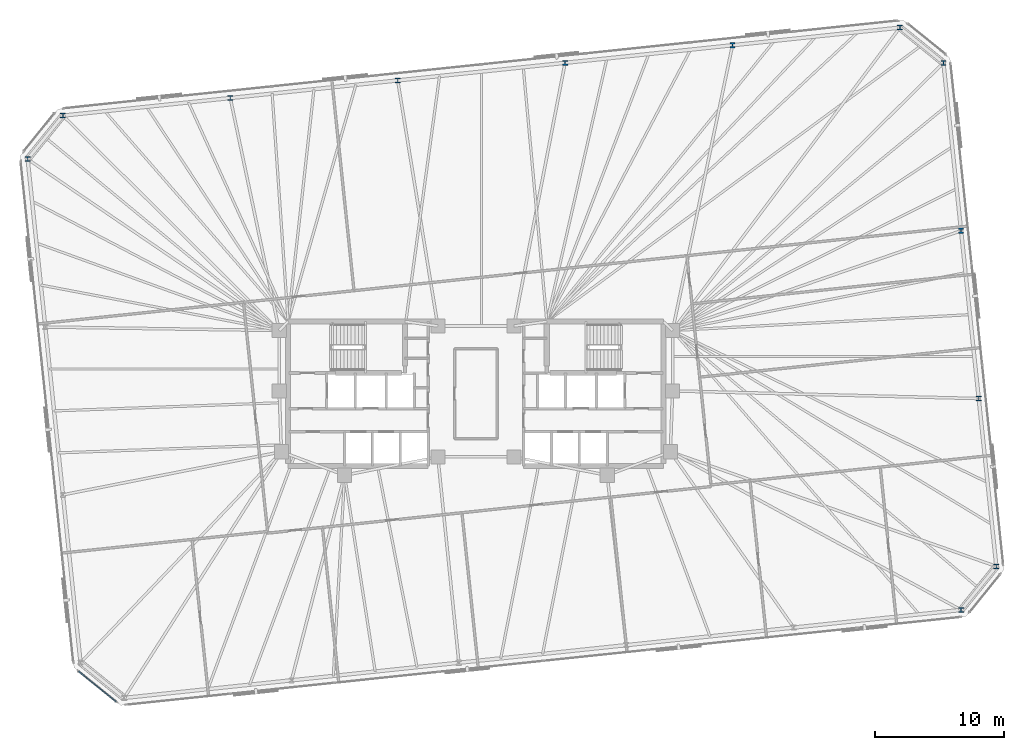
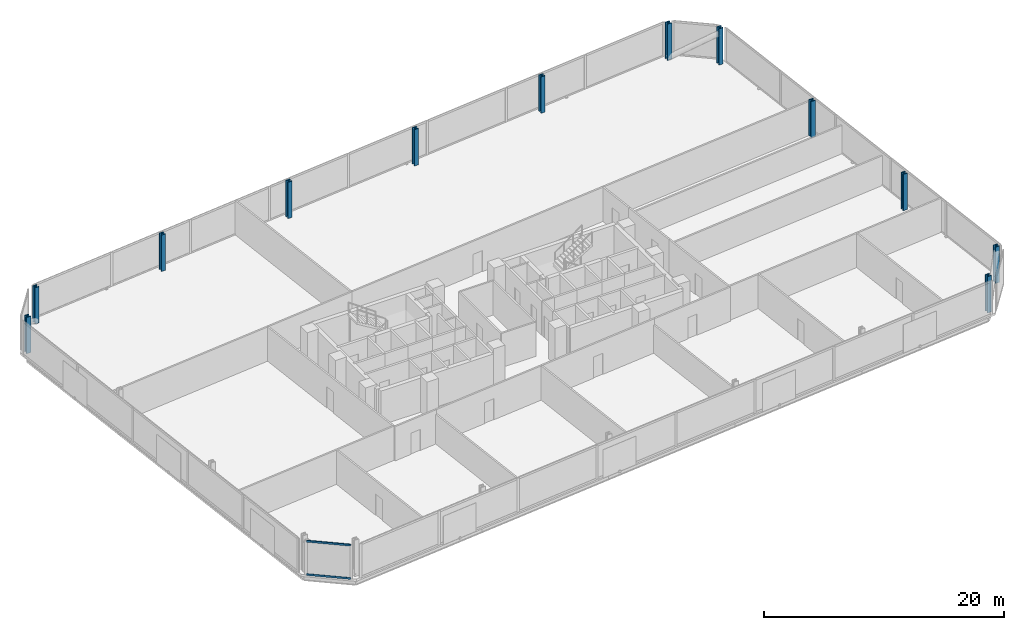
# One storey, part 5 of 18: 12 columns, 2 members, 1 element without a shape of its own.
"""IFC4 building model written with IfcOpenShell, lengths in metres."""

from ifc_helpers import new_model, si_unit, direction, frame, origin, origin_2d, place, context, subcontext, project, spatial, rectangle, i_section, extrude, material, material_profile, profile_set, type_object, element, aggregate, save


model = new_model("IFC4")

# Units and contexts
model_context = context("Model", 3, precision=1e-05, world=origin(), true_north=direction((0.0, 1.0)))
body_context = subcontext(model_context, "Body", "Model", "MODEL_VIEW")
ifc_project = project(units=[si_unit("LENGTHUNIT", "METRE"), si_unit("AREAUNIT", "SQUARE_METRE"), si_unit("VOLUMEUNIT", "CUBIC_METRE"), si_unit("PLANEANGLEUNIT", "RADIAN"), si_unit("MASSUNIT", "GRAM", prefix="KILO")], contexts=[model_context])

# Site, building, storey
site_placement = place(None, origin())
site = spatial("IfcSite", under=ifc_project, at=site_placement, CompositionType="ELEMENT")
building_placement = place(site_placement, origin())
building = spatial("IfcBuilding", under=site, at=building_placement, Name="Menara Jurai Vektor", CompositionType="ELEMENT")
storey_placement = place(building_placement, frame((0.0, 0.0, 102.199951171875)))
storey = spatial("IfcBuildingStorey", under=building, at=storey_placement, Name="L25", CompositionType="ELEMENT", Elevation=102.199951171875)

# Columns
ifc_material_1 = material(Name="Steel S460", Category="steel")
ifc_material_profile_1 = material_profile(ifc_material_1, i_section(OverallWidth=0.4130859375, OverallDepth=0.39794921875, WebThickness=0.055908203125, FlangeThickness=0.089111328125, FilletRadius=0.014892578125, at=origin_2d()), Name="HD 400x744")
ifc_profile_set_1 = profile_set([ifc_material_profile_1], Name="Steel S460")
column_type = type_object("IfcColumnType", Name="STR-EXO-BLK2", PredefinedType="COLUMN", material=ifc_profile_set_1)
for number, where, z_axis, x_axis, name in (
    (1, (37.621826171875, -16.76513671875, 0.0), (0.0, 0.0, 1.0), (1.0, 0.0, 0.0), "Exoskeleton Column BLK2-S6 L25"),
    (2, (40.356201171875, -13.388671875, 0.0), (0.0, 0.0, 1.0), (1.0, 0.0, 0.0), "Exoskeleton Column BLK2-E1 L25"),
    (3, (38.98828125, -0.375, 0.0), (0.0, 0.0, 1.0), (1.0, 0.0, 0.0), "Exoskeleton Column BLK2-E2 L25"),
    (4, (37.62060546875, 12.638427734375, 0.0), (0.0, 0.0, 1.0), (1.0, 0.0, 0.0), "Exoskeleton Column BLK2-E3 L25"),
    (5, (36.252685546875, 25.65185546875, 0.0), (0.0, 0.0, 1.0), (1.0, 0.0, 0.0), "Exoskeleton Column BLK2-E4 L25"),
    (6, (32.876220703125, 28.38623046875, 0.0), (0.0, 0.0, 1.0), (1.0, 0.0, 0.0), "Exoskeleton Column BLK2-N1 L25"),
    (7, (19.896728515625, 27.02197265625, 0.0), (0.0, 0.0, 1.0), (1.0, 0.0, 0.0), "Exoskeleton Column BLK2-N2 L25"),
    (8, (6.9169921875, 25.65771484375, 0.0), (0.0, 0.0, 1.0), (1.0, 0.0, 0.0), "Exoskeleton Column BLK2-N3 L25"),
    (9, (-6.0625, 24.29345703125, 0.0), (0.0, 0.0, 1.0), (1.0, 0.0, 0.0), "Exoskeleton Column BLK2-N4 L25"),
    (10, (-19.042236328125, 22.929443359375, 0.0), (0.0, 0.0, 1.0), (1.0, 0.0, 0.0), "Exoskeleton Column BLK2-N5 L25"),
    (11, (-32.02197265625, 21.565185546875, 0.0), (0.0, 0.0, 1.0), (1.0, 0.0, 0.0), "Exoskeleton Column BLK2-N6 L25"),
    (12, (-34.756103515625, 18.188720703125, 0.0), (0.0, 0.0, 1.0), (1.0, 0.0, 0.0), "Exoskeleton Column BLK2-W1 L25"),
):
    element("IfcColumn", number, at=place(storey_placement, frame(where, z_axis=z_axis, x_axis=x_axis)), inside=storey, type_object=column_type, Name=name, PredefinedType="COLUMN", context=body_context, shape_type="SweptSolid", body=[
        extrude(i_section(OverallWidth=0.4130859375, OverallDepth=0.39794921875, WebThickness=0.055908203125, FlangeThickness=0.089111328125, FilletRadius=0.014892578125, at=origin_2d()), origin(), (0.0, 0.0, 1.0), 3.699951171875),
    ])

# Curtain wall, members
ifc_material_2 = material(Name="Anodised Pale Aluminium & Low-E Double Glazing", Category="aluminium")
curtain_wall_type = type_object("IfcCurtainWallType", Name="CW-BLK2", PredefinedType="NOTDEFINED", material=ifc_material_2)
curtain_wall_placement = place(storey_placement, origin())
curtain_wall = element("IfcCurtainWall", 13, at=curtain_wall_placement, inside=storey, type_object=curtain_wall_type, Name="Unitised Curtain Wall L25 F08", PredefinedType="NOTDEFINED")
ifc_material_3 = material(Name="Anodised Pale Aluminium Transom", Category="aluminium")
ifc_material_profile_2 = material_profile(ifc_material_3, rectangle(XDim=0.090087890625, YDim=0.18505859375, at=origin_2d()), Name="ALU TRN 90x185")
ifc_profile_set_2 = profile_set([ifc_material_profile_2], Name="Anodised Pale Aluminium Transom")
member_type = type_object("IfcMemberType", Name="CW-BLK2-TRN", PredefinedType="USERDEFINED", material=ifc_profile_set_2)
member_1_placement = place(storey_placement, frame((-30.80078125, -21.525634765625, 0.045166015625), z_axis=(0.777128916205, -0.6293414396, 0.0), x_axis=(0.6293414396, 0.777128916205, 0.0)))
member_1 = element("IfcMember", 14, at=member_1_placement, type_object=member_type, Name="CW-02 transom 1.1", ObjectType="TRANSOM", PredefinedType="USERDEFINED", context=body_context, shape_type="SweptSolid", body=[
    extrude(rectangle(XDim=0.090087890625, YDim=0.18505859375, at=origin_2d()), origin(), (0.0, 0.0, 1.0), 3.726806640625),
])
member_2_placement = place(storey_placement, frame((-30.80078125, -21.525634765625, 3.429931640625), z_axis=(0.777128916205, -0.6293414396, 0.0), x_axis=(0.6293414396, 0.777128916205, 0.0)))
member_2 = element("IfcMember", 15, at=member_2_placement, type_object=member_type, Name="CW-02 transom 1.2", ObjectType="TRANSOM", PredefinedType="USERDEFINED", context=body_context, shape_type="SweptSolid", body=[
    extrude(rectangle(XDim=0.090087890625, YDim=0.18505859375, at=origin_2d()), origin(), (0.0, 0.0, 1.0), 3.726806640625),
])
aggregate(curtain_wall, [member_1, member_2])

save(model, "model.ifc")
